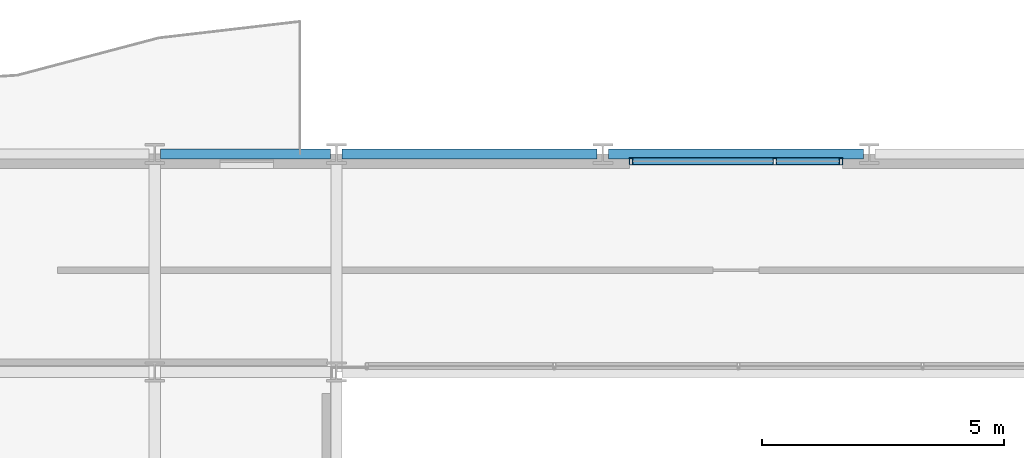
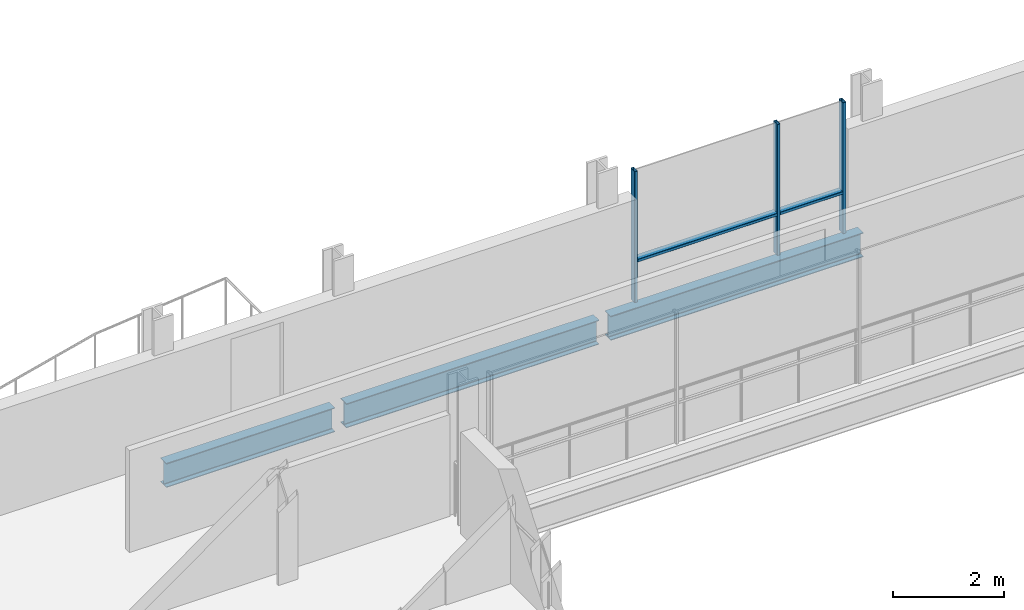
# One storey, part 22 of 40: 5 members, 3 beams, 1 element without a shape of its own.
"""IFC4 building model written with IfcOpenShell, lengths in metres."""

from ifc_helpers import new_model, si_unit, direction, frame, origin, origin_2d, place, context, subcontext, project, spatial, hollow_rectangle, i_section, extrude, material, layer, layer_set, material_profile, profile_set, type_object, element, aggregate, save


model = new_model("IFC4")

# Units and contexts
model_context = context("Model", 3, precision=1e-05, world=origin(), true_north=direction((0.0, 1.0)))
body_context = subcontext(model_context, "Body", "Model", "MODEL_VIEW")
ifc_project = project(units=[si_unit("LENGTHUNIT", "METRE"), si_unit("AREAUNIT", "SQUARE_METRE"), si_unit("VOLUMEUNIT", "CUBIC_METRE"), si_unit("PLANEANGLEUNIT", "RADIAN"), si_unit("MASSUNIT", "GRAM", prefix="KILO")], contexts=[model_context])

# Site, building, storey
site_placement = place(None, origin())
site = spatial("IfcSite", under=ifc_project, at=site_placement, CompositionType="ELEMENT")
building_placement = place(site_placement, origin())
building = spatial("IfcBuilding", under=site, at=building_placement, Name="Brevholm Reach", CompositionType="ELEMENT")
storey_placement = place(building_placement, frame((0.0, 0.0, 125.199951171875)))
storey = spatial("IfcBuildingStorey", under=building, at=storey_placement, Name="L37", CompositionType="ELEMENT", Elevation=125.199951171875)

# Beams
ifc_material_1 = material(Name="Structural Steel S355J2", Category="steel")
ifc_material_profile_1 = material_profile(ifc_material_1, i_section(OverallWidth=0.209228515625, OverallDepth=0.533203125, WebThickness=0.010009765625, FlangeThickness=0.015625, FilletRadius=0.0126953125, at=origin_2d()), Name="UKB 533x210x92")
ifc_profile_set_1 = profile_set([ifc_material_profile_1], Name="Structural Steel S355J2")
beam_type = type_object("IfcBeamType", Name="BM-SP533", PredefinedType="SPANDREL", material=ifc_profile_set_1)
beam_placement = place(storey_placement, frame((18.1201171875, 31.0, -0.486572265625), z_axis=(1.0, 0.0, 0.0), x_axis=(0.0, 1.0, 0.0)))
element("IfcBeam", 1, at=beam_placement, inside=storey, type_object=beam_type, Name="L37 SP-02 Framing Beam", PredefinedType="SPANDREL", context=body_context, shape_type="SweptSolid", body=[
    extrude(i_section(OverallWidth=0.209228515625, OverallDepth=0.533203125, WebThickness=0.010009765625, FlangeThickness=0.015625, FilletRadius=0.0126953125, at=origin_2d()), origin(), (0.0, 0.0, 1.0), 3.509765625),
])
for number, where, z_axis, x_axis, name in (
    (2, (21.8701171875, 31.0, -0.486572265625), (1.0, 0.0, 0.0), (0.0, 1.0, 0.0), "L37 SP-02 Framing Beam"),
    (3, (27.3701171875, 31.0, -0.486572265625), (1.0, 0.0, 0.0), (0.0, 1.0, 0.0), "L37 SP-02 Framing Beam"),
):
    element("IfcBeam", number, at=place(storey_placement, frame(where, z_axis=z_axis, x_axis=x_axis)), inside=storey, type_object=beam_type, Name=name, PredefinedType="SPANDREL", context=body_context, shape_type="SweptSolid", body=[
        extrude(i_section(OverallWidth=0.209228515625, OverallDepth=0.533203125, WebThickness=0.010009765625, FlangeThickness=0.015625, FilletRadius=0.0126953125, at=origin_2d()), origin(), (0.0, 0.0, 1.0), 5.259765625),
    ])

# Curtain wall, members
ifc_material_2 = material(Name="Dark Anodised Aluminium 6063-T6 and Solar-Control Glass", Category="aluminium")
ifc_layer = layer(ifc_material_2, 0.14990234375)
ifc_layer_set = layer_set([ifc_layer], Name="Dark Anodised Aluminium 6063-T6 and Solar-Control Glass")
curtain_wall_type = type_object("IfcCurtainWallType", Name="CW-01", PredefinedType="NOTDEFINED", material=ifc_layer_set)
curtain_wall_placement = place(storey_placement, origin())
curtain_wall = element("IfcCurtainWall", 4, at=curtain_wall_placement, inside=storey, type_object=curtain_wall_type, Name="L37 Curtain Wall CW-01", PredefinedType="NOTDEFINED")
ifc_material_3 = material(Name="Dark Anodised Aluminium 6063-T6", Category="aluminium")
ifc_material_profile_2 = material_profile(ifc_material_3, hollow_rectangle(XDim=0.06494140625, YDim=0.14990234375, WallThickness=0.0048828125, InnerFilletRadius=0.0048828125, OuterFilletRadius=0.010009765625, at=origin_2d()), Name="RHS 150x65x5")
ifc_profile_set_2 = profile_set([ifc_material_profile_2], Name="Dark Anodised Aluminium 6063-T6")
member_type_1 = type_object("IfcMemberType", Name="CWM-150", PredefinedType="MULLION", material=ifc_profile_set_2)
member_1_placement = place(storey_placement, frame((27.83251953125, 30.85009765625, 0.0), z_axis=(0.0, 0.0, 1.0), x_axis=(1.0, 0.0, 0.0)))
member_1 = element("IfcMember", 5, at=member_1_placement, type_object=member_type_1, Name="CM-150 Mullion 1", PredefinedType="MULLION", context=body_context, shape_type="SweptSolid", body=[
    extrude(hollow_rectangle(XDim=0.06494140625, YDim=0.14990234375, WallThickness=0.0048828125, InnerFilletRadius=0.0048828125, OuterFilletRadius=0.010009765625, at=origin_2d()), origin(), (0.0, 0.0, 1.0), 2.880126953125),
])
member_2_placement = place(storey_placement, frame((30.800048828125, 30.85009765625, 0.0), z_axis=(0.0, 0.0, 1.0), x_axis=(1.0, 0.0, 0.0)))
member_2 = element("IfcMember", 6, at=member_2_placement, type_object=member_type_1, Name="CM-150 Mullion 2", PredefinedType="MULLION", context=body_context, shape_type="SweptSolid", body=[
    extrude(hollow_rectangle(XDim=0.06494140625, YDim=0.14990234375, WallThickness=0.0048828125, InnerFilletRadius=0.0048828125, OuterFilletRadius=0.010009765625, at=origin_2d()), origin(), (0.0, 0.0, 1.0), 2.880126953125),
])
member_3_placement = place(storey_placement, frame((32.16748046875, 30.85009765625, 0.0), z_axis=(0.0, 0.0, 1.0), x_axis=(1.0, 0.0, 0.0)))
member_3 = element("IfcMember", 7, at=member_3_placement, type_object=member_type_1, Name="CM-150 Mullion 3", PredefinedType="MULLION", context=body_context, shape_type="SweptSolid", body=[
    extrude(hollow_rectangle(XDim=0.06494140625, YDim=0.14990234375, WallThickness=0.0048828125, InnerFilletRadius=0.0048828125, OuterFilletRadius=0.010009765625, at=origin_2d()), origin(), (0.0, 0.0, 1.0), 2.880126953125),
])
ifc_material_4 = material(Name="Dark Anodised Aluminium 6063-T6", Category="aluminium")
ifc_material_profile_3 = material_profile(ifc_material_4, hollow_rectangle(XDim=0.06494140625, YDim=0.14990234375, WallThickness=0.0048828125, InnerFilletRadius=0.0048828125, OuterFilletRadius=0.010009765625, at=origin_2d()), Name="RHS 150x65x5")
ifc_profile_set_3 = profile_set([ifc_material_profile_3], Name="Dark Anodised Aluminium 6063-T6")
member_type_2 = type_object("IfcMemberType", Name="CWT-150", PredefinedType="NOTDEFINED", material=ifc_profile_set_3)
member_4_placement = place(storey_placement, frame((27.864990234375, 30.85009765625, 0.900146484375), z_axis=(1.0, 0.0, 0.0), x_axis=(0.0, 0.0, 1.0)))
member_4 = element("IfcMember", 8, at=member_4_placement, type_object=member_type_2, Name="CT-150 Transom 1.1", ObjectType="TRANSOM", PredefinedType="USERDEFINED", context=body_context, shape_type="SweptSolid", body=[
    extrude(hollow_rectangle(XDim=0.06494140625, YDim=0.14990234375, WallThickness=0.0048828125, InnerFilletRadius=0.0048828125, OuterFilletRadius=0.010009765625, at=origin_2d()), origin(), (0.0, 0.0, 1.0), 2.902587890625),
])
member_5_placement = place(storey_placement, frame((30.83251953125, 30.85009765625, 0.900146484375), z_axis=(1.0, 0.0, 0.0), x_axis=(0.0, 0.0, 1.0)))
member_5 = element("IfcMember", 9, at=member_5_placement, type_object=member_type_2, Name="CT-150 Transom 2.1", ObjectType="TRANSOM", PredefinedType="USERDEFINED", context=body_context, shape_type="SweptSolid", body=[
    extrude(hollow_rectangle(XDim=0.06494140625, YDim=0.14990234375, WallThickness=0.0048828125, InnerFilletRadius=0.0048828125, OuterFilletRadius=0.010009765625, at=origin_2d()), origin(), (0.0, 0.0, 1.0), 1.302490234375),
])
aggregate(curtain_wall, [member_1, member_2, member_3, member_4, member_5])

save(model, "model.ifc")
